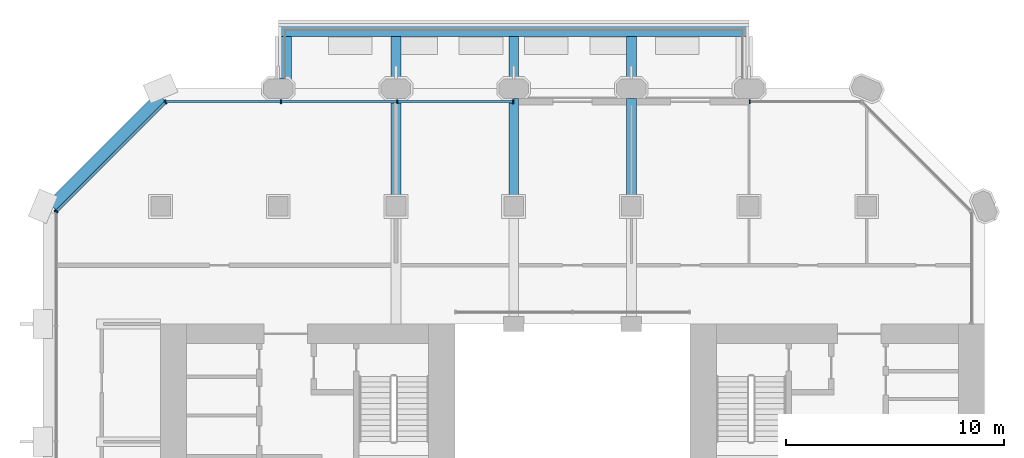
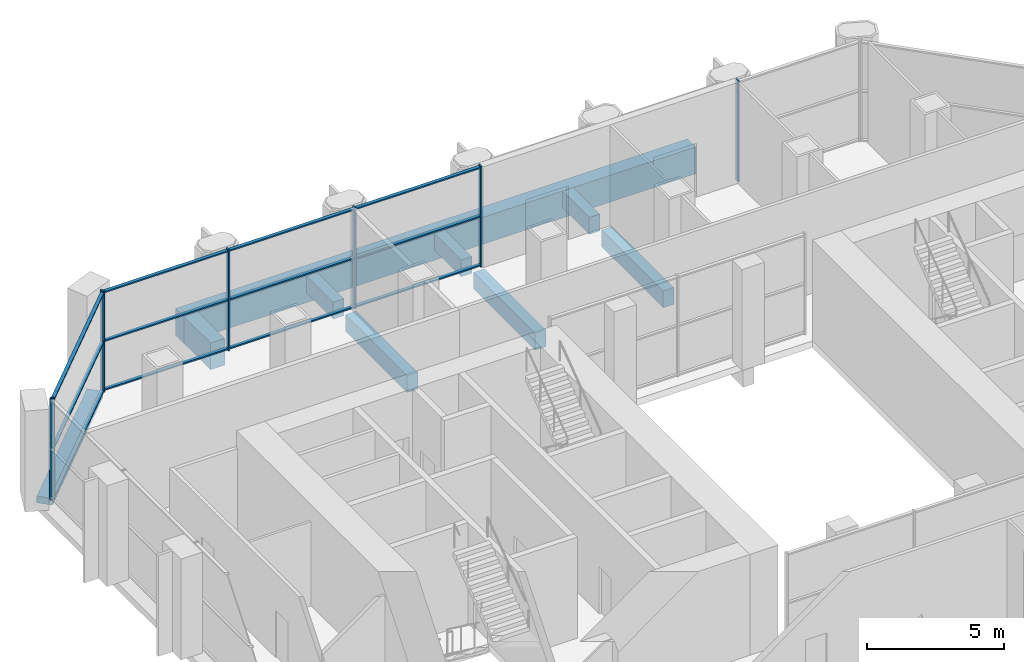
# One storey, part 7 of 15: 20 members, 9 beams, 4 elements without a shape of their own.
"""IFC4 building model written with IfcOpenShell, lengths in metres."""

import ifcopenshell
import ifcopenshell.guid

model = None  # the IFC model being written
_history = None  # IfcOwnerHistory: only IFC2X3 demands one
_inside = {}  # id of a spatial element -> (the spatial element, [elements in it])
_under = {}  # id of a project, library or spatial element -> (it, [spatial elements below it])
_declared = {}  # id of a project -> (the project, [libraries it declares])
_typed = {}  # id of a type object -> (the type object, [elements of that type])
_made_of = {}  # id of a material, layer set ... -> (it, [elements and type objects made of it])


def new_model(schema):
    """Start an empty IFC model of exactly this schema.

    Asked for "IFC4X3", IfcOpenShell would pick the latest addendum, in which some entities
    have other attributes; the version numbers below select the first issue.
    IFC2X3 requires an IfcOwnerHistory on every rooted entity: one is made here for all.
    """
    global model, _history
    if schema == "IFC4X3":
        model = ifcopenshell.file(schema_version=(4, 3, 0, 0))
    else:
        model = ifcopenshell.file(schema=schema)
    _inside.clear()
    _under.clear()
    _declared.clear()
    _typed.clear()
    _made_of.clear()
    _history = None
    if model.schema == "IFC2X3":
        org = make("IfcOrganization", Name="unknown")
        user = make(
            "IfcPersonAndOrganization",
            ThePerson=make("IfcPerson", FamilyName="unknown"),
            TheOrganization=org,
        )
        app = make(
            "IfcApplication",
            ApplicationDeveloper=org,
            Version="unknown",
            ApplicationFullName="unknown",
            ApplicationIdentifier="unknown",
        )
        _history = make(
            "IfcOwnerHistory",
            OwningUser=user,
            OwningApplication=app,
            ChangeAction="ADDED",
            CreationDate=0,
        )
    return model


def make(cls, **values):
    """One entity of the class cls with the attributes given. An attribute that is None is left unset."""
    return model.create_entity(
        cls, **{name: value for name, value in values.items() if value is not None}
    )


def rooted(cls, **values):
    """An entity with a GlobalId (a new one), such as an element, a storey or a relation."""
    return make(cls, GlobalId=ifcopenshell.guid.new(), OwnerHistory=_history, **values)


def si_unit(unit_type, name, prefix=None):
    """IfcSIUnit, for example si_unit("LENGTHUNIT", "METRE", prefix="MILLI")."""
    return make("IfcSIUnit", UnitType=unit_type, Prefix=prefix, Name=name)


def assignment(units):
    """IfcUnitAssignment: the units of a project."""
    return None if units is None else make("IfcUnitAssignment", Units=units)


def point(xyz):
    """IfcCartesianPoint."""
    return None if xyz is None else make("IfcCartesianPoint", Coordinates=xyz)


def direction(xyz):
    """IfcDirection."""
    return None if xyz is None else make("IfcDirection", DirectionRatios=xyz)


def frame(location, z_axis=None, x_axis=None):
    """IfcAxis2Placement3D, a coordinate frame: its origin and axes. An axis left out is left unset."""
    return make(
        "IfcAxis2Placement3D",
        Location=point(location),
        Axis=direction(z_axis),
        RefDirection=direction(x_axis),
    )


def frame_2d(location, x_axis=None):
    """IfcAxis2Placement2D, a coordinate frame in the plane: its origin and x axis."""
    return make(
        "IfcAxis2Placement2D", Location=point(location), RefDirection=direction(x_axis)
    )


def origin():
    """The frame at (0, 0, 0) with its axes left unset."""
    return frame((0.0, 0.0, 0.0))


def origin_2d():
    """The frame at (0, 0) in the plane with its x axis left unset."""
    return frame_2d((0.0, 0.0))


def place(relative_to, where):
    """IfcLocalPlacement: puts the frame where relative to a parent placement (None: the world)."""
    return make(
        "IfcLocalPlacement", PlacementRelTo=relative_to, RelativePlacement=where
    )


def context(
    kind, dimensions, precision=None, world=None, true_north=None, identifier=None
):
    """IfcGeometricRepresentationContext, for example the 3D "Model" context."""
    return make(
        "IfcGeometricRepresentationContext",
        ContextIdentifier=identifier,
        ContextType=kind,
        CoordinateSpaceDimension=dimensions,
        Precision=precision,
        WorldCoordinateSystem=world,
        TrueNorth=true_north,
    )


def subcontext(parent, identifier, kind, view, scale=None):
    """IfcGeometricRepresentationSubContext, for example "Body" below "Model"."""
    return make(
        "IfcGeometricRepresentationSubContext",
        ContextIdentifier=identifier,
        ContextType=kind,
        ParentContext=parent,
        TargetScale=scale,
        TargetView=view,
    )


def project(units=None, contexts=None):
    """IfcProject with its units and contexts."""
    return rooted(
        "IfcProject",
        Name="project",
        RepresentationContexts=contexts,
        UnitsInContext=assignment(units),
    )


def spatial(cls, under=None, at=None, **own):
    """A site, building, storey or space (cls), placed at a placement, below another one or the project."""
    s = rooted(cls, ObjectPlacement=at, **own)
    if under is not None:
        _under.setdefault(under.id(), (under, []))[1].append(s)
    return s


def profile(cls, at=None, kind="AREA", **sizes):
    """A parametric profile (cls). Its sizes go by their IFC names, for example OverallWidth=200.0."""
    return make(cls, ProfileType=kind, Position=at, **sizes)


def rectangle(**sizes):
    """IfcRectangleProfileDef."""
    return profile("IfcRectangleProfileDef", **sizes)


def extrude(swept, where, along, depth):
    """IfcExtrudedAreaSolid: the profile swept, set in the frame where, extruded along a direction by depth."""
    return make(
        "IfcExtrudedAreaSolid",
        SweptArea=swept,
        Position=where,
        ExtrudedDirection=direction(along),
        Depth=depth,
    )


def shape(context_of_items, identifier, shape_type, items):
    """IfcShapeRepresentation: the items that make up one representation, for example the "Body"."""
    return make(
        "IfcShapeRepresentation",
        ContextOfItems=context_of_items,
        RepresentationIdentifier=identifier,
        RepresentationType=shape_type,
        Items=items,
    )


def material(Name=None, Category=None):
    """IfcMaterial."""
    return make("IfcMaterial", Name=Name, Category=Category)


def material_profile(
    of_material, cross_section, Name=None, Category=None, Priority=None
):
    """IfcMaterialProfile: a cross section and its material."""
    return make(
        "IfcMaterialProfile",
        Name=Name,
        Material=of_material,
        Profile=cross_section,
        Priority=Priority,
        Category=Category,
    )


def profile_set(profiles, Name=None, composite=None):
    """IfcMaterialProfileSet."""
    return make(
        "IfcMaterialProfileSet",
        Name=Name,
        MaterialProfiles=profiles,
        CompositeProfile=composite,
    )


def made_of(thing, what):
    """Note that an element or type object is made of a material, layer set ...; save() writes the relation."""
    if what is not None:
        _made_of.setdefault(what.id(), (what, []))[1].append(thing)
    return thing


def type_object(cls, material=None, **own):
    """A type object (cls), such as IfcWallType, which elements share."""
    return made_of(rooted(cls, **own), material)


def element(
    cls,
    number,
    at=None,
    inside=None,
    cuts=None,
    type_object=None,
    material=None,
    context=None,
    identifier="Body",
    shape_type=None,
    held_by="IfcProductDefinitionShape",
    body=None,
    shapes=None,
    **own,
):
    """One element of the class cls, such as IfcWall. Its Tag is "e" and its number.

    at: its placement. inside: the storey or other place that contains it. cuts: it is an
    opening in that element (IfcRelVoidsElement). A single representation is given by context,
    identifier, shape_type and body (its items); several are given by shapes. held_by: the class
    of the entity that holds the representations. save() writes the other relations.
    """
    e = rooted(cls, Tag="e%d" % number, ObjectPlacement=at, **own)
    if body is not None:
        shapes = [shape(context, identifier, shape_type, body)]
    if shapes is not None:
        e.Representation = make(held_by, Representations=shapes)
    if inside is not None:
        _inside.setdefault(inside.id(), (inside, []))[1].append(e)
    if cuts is not None:
        rooted(
            "IfcRelVoidsElement", RelatingBuildingElement=cuts, RelatedOpeningElement=e
        )
    if type_object is not None:
        _typed.setdefault(type_object.id(), (type_object, []))[1].append(e)
    return made_of(e, material)


def aggregate(whole, parts):
    """IfcRelAggregates: a whole, such as a stair, and the parts it consists of."""
    return rooted("IfcRelAggregates", RelatingObject=whole, RelatedObjects=parts)


def save(model, path):
    """Write the relations noted so far, then the file.

    IfcRelAggregates (storeys below a building ...), IfcRelContainedInSpatialStructure (elements
    in a storey), IfcRelDefinesByType, IfcRelAssociatesMaterial and IfcRelDeclares: one each for
    every whole, place, type object, material and project.
    """
    for whole, parts in _under.values():
        aggregate(whole, parts)
    for where, things in _inside.values():
        rooted(
            "IfcRelContainedInSpatialStructure",
            RelatedElements=things,
            RelatingStructure=where,
        )
    for kind, things in _typed.values():
        rooted("IfcRelDefinesByType", RelatedObjects=things, RelatingType=kind)
    for what, things in _made_of.values():
        rooted("IfcRelAssociatesMaterial", RelatedObjects=things, RelatingMaterial=what)
    for by, libraries in _declared.values():
        rooted("IfcRelDeclares", RelatingContext=by, RelatedDefinitions=libraries)
    model.write(path)


model = new_model("IFC4")

# Units and contexts
model_context = context("Model", 3, precision=1e-05, world=origin(), true_north=direction((0.0, 1.0)))
body_context = subcontext(model_context, "Body", "Model", "MODEL_VIEW")
ifc_project = project(units=[si_unit("LENGTHUNIT", "METRE"), si_unit("AREAUNIT", "SQUARE_METRE"), si_unit("VOLUMEUNIT", "CUBIC_METRE"), si_unit("PLANEANGLEUNIT", "RADIAN"), si_unit("MASSUNIT", "GRAM", prefix="KILO")], contexts=[model_context])

# Site, building, storey
site_placement = place(None, origin())
site = spatial("IfcSite", under=ifc_project, at=site_placement, CompositionType="ELEMENT")
building_placement = place(site_placement, origin())
building = spatial("IfcBuilding", under=site, at=building_placement, Name="Tabaq Tower and Sports Hall", CompositionType="ELEMENT")
storey_placement = place(building_placement, frame((0.0, 0.0, 138.39990234375)))
storey = spatial("IfcBuildingStorey", under=building, at=storey_placement, Name="L32", CompositionType="ELEMENT", Elevation=138.39990234375)

# Curtain wall, member
ifc_material_1 = material(Name="Aluminium alloy 6063-T6 framed glazing", Category="aluminium")
curtain_wall_type = type_object("IfcCurtainWallType", Name="CW3 curtain wall", PredefinedType="USERDEFINED", material=ifc_material_1)
curtain_wall_1_placement = place(storey_placement, origin())
curtain_wall_1 = element("IfcCurtainWall", 1, at=curtain_wall_1_placement, inside=storey, type_object=curtain_wall_type, Name="Garden Floor Wall L32 N", ObjectType="GARDEN FLOOR WALL", PredefinedType="USERDEFINED")
ifc_material_2 = material(Name="Aluminium alloy 6063-T6", Category="aluminium")
ifc_material_profile_1 = material_profile(ifc_material_2, rectangle(XDim=0.179931640625, YDim=0.06005859375, at=origin_2d()), Name="MULLION 180x60")
ifc_profile_set_1 = profile_set([ifc_material_profile_1], Name="Aluminium alloy 6063-T6")
member_type_1 = type_object("IfcMemberType", Name="CW3 mullion 180x60", PredefinedType="MULLION", material=ifc_profile_set_1)
member_1_placement = place(storey_placement, frame((32.429931640625, 42.60009765625, 0.0), z_axis=(0.0, 0.0, 1.0), x_axis=(0.0, -1.0, 0.0)))
member_1 = element("IfcMember", 2, at=member_1_placement, type_object=member_type_1, Name="CW3 mullion 2", PredefinedType="MULLION", context=body_context, shape_type="SweptSolid", body=[
    extrude(rectangle(XDim=0.179931640625, YDim=0.06005859375, at=origin_2d()), origin(), (0.0, 0.0, 1.0), 4.5),
])
aggregate(curtain_wall_1, [member_1])

# Curtain wall, members
curtain_wall_2_placement = place(storey_placement, origin())
curtain_wall_2 = element("IfcCurtainWall", 3, at=curtain_wall_2_placement, inside=storey, type_object=curtain_wall_type, Name="Garden Floor Wall L32 N", ObjectType="GARDEN FLOOR WALL", PredefinedType="USERDEFINED")
member_2_placement = place(storey_placement, frame((21.570068359375, 42.60009765625, 0.0), z_axis=(0.0, 0.0, 1.0), x_axis=(0.0, -1.0, 0.0)))
member_2 = element("IfcMember", 4, at=member_2_placement, type_object=member_type_1, Name="CW3 mullion 1", PredefinedType="MULLION", context=body_context, shape_type="SweptSolid", body=[
    extrude(rectangle(XDim=0.179931640625, YDim=0.06005859375, at=origin_2d()), origin(), (0.0, 0.0, 1.0), 4.5),
])
member_3_placement = place(storey_placement, frame((16.26220703125, 42.60009765625, 0.0), z_axis=(0.0, 0.0, 1.0), x_axis=(0.0, -1.0, 0.0)))
member_3 = element("IfcMember", 5, at=member_3_placement, type_object=member_type_1, Name="CW3 mullion 2", PredefinedType="MULLION", context=body_context, shape_type="SweptSolid", body=[
    extrude(rectangle(XDim=0.179931640625, YDim=0.06005859375, at=origin_2d()), origin(), (0.0, 0.0, 1.0), 4.5),
])
member_4_placement = place(storey_placement, frame((10.92431640625, 42.60009765625, 0.0), z_axis=(0.0, 0.0, 1.0), x_axis=(0.0, -1.0, 0.0)))
member_4 = element("IfcMember", 6, at=member_4_placement, type_object=member_type_1, Name="CW3 mullion 3", PredefinedType="MULLION", context=body_context, shape_type="SweptSolid", body=[
    extrude(rectangle(XDim=0.179931640625, YDim=0.06005859375, at=origin_2d()), origin(), (0.0, 0.0, 1.0), 4.5),
])
member_5_placement = place(storey_placement, frame((5.616455078125, 42.60009765625, 0.0), z_axis=(0.0, 0.0, 1.0), x_axis=(0.0, -1.0, 0.0)))
member_5 = element("IfcMember", 7, at=member_5_placement, type_object=member_type_1, Name="CW3 mullion 4", PredefinedType="MULLION", context=body_context, shape_type="SweptSolid", body=[
    extrude(rectangle(XDim=0.179931640625, YDim=0.06005859375, at=origin_2d()), origin(), (0.0, 0.0, 1.0), 4.5),
])

curtain_wall_3_placement = place(storey_placement, origin())
curtain_wall_3 = element("IfcCurtainWall", 8, at=curtain_wall_3_placement, inside=storey, type_object=curtain_wall_type, Name="Garden Floor Wall L32 NW", ObjectType="GARDEN FLOOR WALL", PredefinedType="USERDEFINED")
member_6_placement = place(storey_placement, frame((5.627197265625, 42.578857421875, 0.0), z_axis=(0.0, 0.0, 1.0), x_axis=(0.707106781187, -0.707106781187, 0.0)))
member_6 = element("IfcMember", 9, at=member_6_placement, type_object=member_type_1, Name="CW3 mullion 1", PredefinedType="MULLION", context=body_context, shape_type="SweptSolid", body=[
    extrude(rectangle(XDim=0.179931640625, YDim=0.06005859375, at=origin_2d()), origin(), (0.0, 0.0, 1.0), 4.5),
])
member_7_placement = place(storey_placement, frame((0.62109375, 37.57275390625, 0.0), z_axis=(0.0, 0.0, 1.0), x_axis=(0.707106781187, -0.707106781187, 0.0)))
member_7 = element("IfcMember", 10, at=member_7_placement, type_object=member_type_1, Name="CW3 mullion 2", PredefinedType="MULLION", context=body_context, shape_type="SweptSolid", body=[
    extrude(rectangle(XDim=0.179931640625, YDim=0.06005859375, at=origin_2d()), origin(), (0.0, 0.0, 1.0), 4.5),
])

# Curtain wall, member
curtain_wall_4_placement = place(storey_placement, origin())
curtain_wall_4 = element("IfcCurtainWall", 11, at=curtain_wall_4_placement, inside=storey, type_object=curtain_wall_type, Name="Garden Floor Wall L32 W", ObjectType="GARDEN FLOOR WALL", PredefinedType="USERDEFINED")
member_8_placement = place(storey_placement, frame((0.60009765625, 37.58349609375, 0.0), z_axis=(0.0, 0.0, 1.0), x_axis=(1.0, 0.0, 0.0)))
member_8 = element("IfcMember", 12, at=member_8_placement, type_object=member_type_1, Name="CW3 mullion 1", PredefinedType="MULLION", context=body_context, shape_type="SweptSolid", body=[
    extrude(rectangle(XDim=0.179931640625, YDim=0.06005859375, at=origin_2d()), origin(), (0.0, 0.0, 1.0), 4.5),
])
aggregate(curtain_wall_4, [member_8])

# Member
ifc_material_3 = material(Name="Aluminium alloy 6063-T6", Category="aluminium")
ifc_material_profile_2 = material_profile(ifc_material_3, rectangle(XDim=0.139892578125, YDim=0.06005859375, at=origin_2d()), Name="TRANSOM 140x60")
ifc_profile_set_2 = profile_set([ifc_material_profile_2], Name="Aluminium alloy 6063-T6")
member_type_2 = type_object("IfcMemberType", Name="CW3 transom 140x60", PredefinedType="USERDEFINED", material=ifc_profile_set_2)
member_9_placement = place(storey_placement, frame((21.5400390625, 42.60009765625, 0.070068359375), z_axis=(-1.0, 0.0, 0.0), x_axis=(0.0, -1.0, 0.0)))
member_9 = element("IfcMember", 13, at=member_9_placement, type_object=member_type_2, Name="CW3 transom 1.1", ObjectType="TRANSOM", PredefinedType="USERDEFINED", context=body_context, shape_type="SweptSolid", body=[
    extrude(rectangle(XDim=0.139892578125, YDim=0.06005859375, at=origin_2d()), origin(), (0.0, 0.0, 1.0), 5.247802734375),
])

member_10_placement = place(storey_placement, frame((21.5400390625, 42.60009765625, 2.25), z_axis=(-1.0, 0.0, 0.0), x_axis=(0.0, -1.0, 0.0)))
member_10 = element("IfcMember", 14, at=member_10_placement, type_object=member_type_2, Name="CW3 transom 1.2", ObjectType="TRANSOM", PredefinedType="USERDEFINED", context=body_context, shape_type="SweptSolid", body=[
    extrude(rectangle(XDim=0.139892578125, YDim=0.06005859375, at=origin_2d()), origin(), (0.0, 0.0, 1.0), 5.247802734375),
])

member_11_placement = place(storey_placement, frame((21.5400390625, 42.60009765625, 4.43017578125), z_axis=(-1.0, 0.0, 0.0), x_axis=(0.0, -1.0, 0.0)))
member_11 = element("IfcMember", 15, at=member_11_placement, type_object=member_type_2, Name="CW3 transom 1.3", ObjectType="TRANSOM", PredefinedType="USERDEFINED", context=body_context, shape_type="SweptSolid", body=[
    extrude(rectangle(XDim=0.139892578125, YDim=0.06005859375, at=origin_2d()), origin(), (0.0, 0.0, 1.0), 5.247802734375),
])

member_12_placement = place(storey_placement, frame((16.232177734375, 42.60009765625, 0.070068359375), z_axis=(-1.0, 0.0, 0.0), x_axis=(0.0, -1.0, 0.0)))
member_12 = element("IfcMember", 16, at=member_12_placement, type_object=member_type_2, Name="CW3 transom 2.1", ObjectType="TRANSOM", PredefinedType="USERDEFINED", context=body_context, shape_type="SweptSolid", body=[
    extrude(rectangle(XDim=0.139892578125, YDim=0.06005859375, at=origin_2d()), origin(), (0.0, 0.0, 1.0), 5.27783203125),
])

member_13_placement = place(storey_placement, frame((16.232177734375, 42.60009765625, 2.25), z_axis=(-1.0, 0.0, 0.0), x_axis=(0.0, -1.0, 0.0)))
member_13 = element("IfcMember", 17, at=member_13_placement, type_object=member_type_2, Name="CW3 transom 2.2", ObjectType="TRANSOM", PredefinedType="USERDEFINED", context=body_context, shape_type="SweptSolid", body=[
    extrude(rectangle(XDim=0.139892578125, YDim=0.06005859375, at=origin_2d()), origin(), (0.0, 0.0, 1.0), 5.27783203125),
])

member_14_placement = place(storey_placement, frame((16.232177734375, 42.60009765625, 4.43017578125), z_axis=(-1.0, 0.0, 0.0), x_axis=(0.0, -1.0, 0.0)))
member_14 = element("IfcMember", 18, at=member_14_placement, type_object=member_type_2, Name="CW3 transom 2.3", ObjectType="TRANSOM", PredefinedType="USERDEFINED", context=body_context, shape_type="SweptSolid", body=[
    extrude(rectangle(XDim=0.139892578125, YDim=0.06005859375, at=origin_2d()), origin(), (0.0, 0.0, 1.0), 5.27783203125),
])

member_15_placement = place(storey_placement, frame((10.894287109375, 42.60009765625, 0.070068359375), z_axis=(-1.0, 0.0, 0.0), x_axis=(0.0, -1.0, 0.0)))
member_15 = element("IfcMember", 19, at=member_15_placement, type_object=member_type_2, Name="CW3 transom 3.1", ObjectType="TRANSOM", PredefinedType="USERDEFINED", context=body_context, shape_type="SweptSolid", body=[
    extrude(rectangle(XDim=0.139892578125, YDim=0.06005859375, at=origin_2d()), origin(), (0.0, 0.0, 1.0), 5.247802734375),
])

member_16_placement = place(storey_placement, frame((10.894287109375, 42.60009765625, 2.25), z_axis=(-1.0, 0.0, 0.0), x_axis=(0.0, -1.0, 0.0)))
member_16 = element("IfcMember", 20, at=member_16_placement, type_object=member_type_2, Name="CW3 transom 3.2", ObjectType="TRANSOM", PredefinedType="USERDEFINED", context=body_context, shape_type="SweptSolid", body=[
    extrude(rectangle(XDim=0.139892578125, YDim=0.06005859375, at=origin_2d()), origin(), (0.0, 0.0, 1.0), 5.247802734375),
])

member_17_placement = place(storey_placement, frame((10.894287109375, 42.60009765625, 4.43017578125), z_axis=(-1.0, 0.0, 0.0), x_axis=(0.0, -1.0, 0.0)))
member_17 = element("IfcMember", 21, at=member_17_placement, type_object=member_type_2, Name="CW3 transom 3.3", ObjectType="TRANSOM", PredefinedType="USERDEFINED", context=body_context, shape_type="SweptSolid", body=[
    extrude(rectangle(XDim=0.139892578125, YDim=0.06005859375, at=origin_2d()), origin(), (0.0, 0.0, 1.0), 5.247802734375),
])

aggregate(curtain_wall_2, [member_2, member_3, member_4, member_5, member_9, member_10, member_11, member_12, member_13, member_14, member_15, member_16, member_17])

member_18_placement = place(storey_placement, frame((5.606201171875, 42.5576171875, 0.070068359375), z_axis=(-0.707124170412, -0.707089391533, 0.0), x_axis=(0.707089391533, -0.707124170412, 0.0)))
member_18 = element("IfcMember", 22, at=member_18_placement, type_object=member_type_2, Name="CW3 transom 1.1", ObjectType="TRANSOM", PredefinedType="USERDEFINED", context=body_context, shape_type="SweptSolid", body=[
    extrude(rectangle(XDim=0.139892578125, YDim=0.06005859375, at=origin_2d()), origin(), (0.0, 0.0, 1.0), 7.019775390625),
])

member_19_placement = place(storey_placement, frame((5.606201171875, 42.5576171875, 2.25), z_axis=(-0.707124170412, -0.707089391533, 0.0), x_axis=(0.707089391533, -0.707124170412, 0.0)))
member_19 = element("IfcMember", 23, at=member_19_placement, type_object=member_type_2, Name="CW3 transom 1.2", ObjectType="TRANSOM", PredefinedType="USERDEFINED", context=body_context, shape_type="SweptSolid", body=[
    extrude(rectangle(XDim=0.139892578125, YDim=0.06005859375, at=origin_2d()), origin(), (0.0, 0.0, 1.0), 7.019775390625),
])

member_20_placement = place(storey_placement, frame((5.606201171875, 42.5576171875, 4.43017578125), z_axis=(-0.707124170412, -0.707089391533, 0.0), x_axis=(0.707089391533, -0.707124170412, 0.0)))
member_20 = element("IfcMember", 24, at=member_20_placement, type_object=member_type_2, Name="CW3 transom 1.3", ObjectType="TRANSOM", PredefinedType="USERDEFINED", context=body_context, shape_type="SweptSolid", body=[
    extrude(rectangle(XDim=0.139892578125, YDim=0.06005859375, at=origin_2d()), origin(), (0.0, 0.0, 1.0), 7.019775390625),
])

aggregate(curtain_wall_3, [member_6, member_7, member_18, member_19, member_20])

# Beams
ifc_material_4 = material(Name="Concrete C40/50", Category="concrete")
ifc_material_profile_3 = material_profile(ifc_material_4, rectangle(XDim=0.60009765625, YDim=1.199951171875, at=origin_2d()), Name="EBT 600x1200")
ifc_profile_set_3 = profile_set([ifc_material_profile_3], Name="Concrete C40/50")
beam_type_1 = type_object("IfcBeamType", Name="Concrete C40/50 PT edge band EBT 600x1200", PredefinedType="BEAM", material=ifc_profile_set_3)
beam_1_placement = place(storey_placement, frame((32.39990234375, 45.89990234375, -0.89990234375), z_axis=(-1.0, 0.0, 0.0), x_axis=(0.0, -1.0, 0.0)))
element("IfcBeam", 25, at=beam_1_placement, inside=storey, type_object=beam_type_1, Name="Tray edge band L32", PredefinedType="BEAM", context=body_context, shape_type="SweptSolid", body=[
    extrude(rectangle(XDim=0.60009765625, YDim=1.199951171875, at=origin_2d()), origin(), (0.0, 0.0, 1.0), 21.599853515625),
])
beam_2_placement = place(storey_placement, frame((11.10009765625, 43.64990234375, -0.89990234375), z_axis=(0.0, 1.0, 0.0), x_axis=(-1.0, 0.0, 0.0)))
element("IfcBeam", 26, at=beam_2_placement, inside=storey, type_object=beam_type_1, Name="Tray edge band L32", PredefinedType="BEAM", context=body_context, shape_type="SweptSolid", body=[
    extrude(rectangle(XDim=0.60009765625, YDim=1.199951171875, at=origin_2d()), origin(), (0.0, 0.0, 1.0), 1.9501953125),
])
ifc_material_5 = material(Name="Concrete C40/50", Category="concrete")
ifc_material_profile_4 = material_profile(ifc_material_5, rectangle(XDim=0.449951171875, YDim=0.75, at=origin_2d()), Name="CB 450x750")
ifc_profile_set_4 = profile_set([ifc_material_profile_4], Name="Concrete C40/50")
beam_type_2 = type_object("IfcBeamType", Name="PT CANTILEVER BEAM CB 450x750 C40/50", PredefinedType="BEAM", material=ifc_profile_set_4)
beam_3_placement = place(storey_placement, frame((27.0, 45.60009765625, -0.6748046875), z_axis=(0.0, -1.0, 0.0), x_axis=(1.0, 0.0, 0.0)))
element("IfcBeam", 27, at=beam_3_placement, inside=storey, type_object=beam_type_2, Name="Tray Cantilever Beam L32 T1 span 1", PredefinedType="BEAM", context=body_context, shape_type="SweptSolid", body=[
    extrude(rectangle(XDim=0.449951171875, YDim=0.75, at=origin_2d()), origin(), (0.0, 0.0, 1.0), 1.9501953125),
])
beam_4_placement = place(storey_placement, frame((27.0, 42.75, -0.6748046875), z_axis=(0.0, -1.0, 0.0), x_axis=(1.0, 0.0, 0.0)))
element("IfcBeam", 28, at=beam_4_placement, inside=storey, type_object=beam_type_2, Name="Tray Cantilever Beam L32 T1 span 2", PredefinedType="BEAM", context=body_context, shape_type="SweptSolid", body=[
    extrude(rectangle(XDim=0.449951171875, YDim=0.75, at=origin_2d()), origin(), (0.0, 0.0, 1.0), 4.5),
])
beam_5_placement = place(storey_placement, frame((21.60009765625, 45.60009765625, -0.6748046875), z_axis=(0.0, -1.0, 0.0), x_axis=(1.0, 0.0, 0.0)))
element("IfcBeam", 29, at=beam_5_placement, inside=storey, type_object=beam_type_2, Name="Tray Cantilever Beam L32 T2 span 1", PredefinedType="BEAM", context=body_context, shape_type="SweptSolid", body=[
    extrude(rectangle(XDim=0.449951171875, YDim=0.75, at=origin_2d()), origin(), (0.0, 0.0, 1.0), 1.9501953125),
])
beam_6_placement = place(storey_placement, frame((21.60009765625, 42.75, -0.6748046875), z_axis=(0.0, -1.0, 0.0), x_axis=(1.0, 0.0, 0.0)))
element("IfcBeam", 30, at=beam_6_placement, inside=storey, type_object=beam_type_2, Name="Tray Cantilever Beam L32 T2 span 2", PredefinedType="BEAM", context=body_context, shape_type="SweptSolid", body=[
    extrude(rectangle(XDim=0.449951171875, YDim=0.75, at=origin_2d()), origin(), (0.0, 0.0, 1.0), 4.5),
])
beam_7_placement = place(storey_placement, frame((16.199951171875, 45.60009765625, -0.6748046875), z_axis=(0.0, -1.0, 0.0), x_axis=(1.0, 0.0, 0.0)))
element("IfcBeam", 31, at=beam_7_placement, inside=storey, type_object=beam_type_2, Name="Tray Cantilever Beam L32 T3 span 1", PredefinedType="BEAM", context=body_context, shape_type="SweptSolid", body=[
    extrude(rectangle(XDim=0.449951171875, YDim=0.75, at=origin_2d()), origin(), (0.0, 0.0, 1.0), 1.9501953125),
])
beam_8_placement = place(storey_placement, frame((16.199951171875, 42.75, -0.6748046875), z_axis=(0.0, -1.0, 0.0), x_axis=(1.0, 0.0, 0.0)))
element("IfcBeam", 32, at=beam_8_placement, inside=storey, type_object=beam_type_2, Name="Tray Cantilever Beam L32 T3 span 2", PredefinedType="BEAM", context=body_context, shape_type="SweptSolid", body=[
    extrude(rectangle(XDim=0.449951171875, YDim=0.75, at=origin_2d()), origin(), (0.0, 0.0, 1.0), 4.5),
])
ifc_material_6 = material(Name="Concrete C40/50", Category="concrete")
ifc_material_profile_5 = material_profile(ifc_material_6, rectangle(XDim=0.60009765625, YDim=0.300048828125, at=origin_2d()), Name="EB 600x300")
ifc_profile_set_5 = profile_set([ifc_material_profile_5], Name="Concrete C40/50")
beam_type_3 = type_object("IfcBeamType", Name="PT EDGE BEAM EB 600x300 C40/50", PredefinedType="SPANDREL", material=ifc_profile_set_5)
beam_9_placement = place(storey_placement, frame((5.435302734375, 42.81103515625, -0.14990234375), z_axis=(-0.707106781187, -0.707106781187, 0.0), x_axis=(0.707106781187, -0.707106781187, 0.0)))
element("IfcBeam", 33, at=beam_9_placement, inside=storey, type_object=beam_type_3, Name="Edge Beam L32 2", PredefinedType="SPANDREL", context=body_context, shape_type="SweptSolid", body=[
    extrude(rectangle(XDim=0.60009765625, YDim=0.300048828125, at=origin_2d()), origin(), (0.0, 0.0, 1.0), 7.087890625),
])

save(model, "model.ifc")
